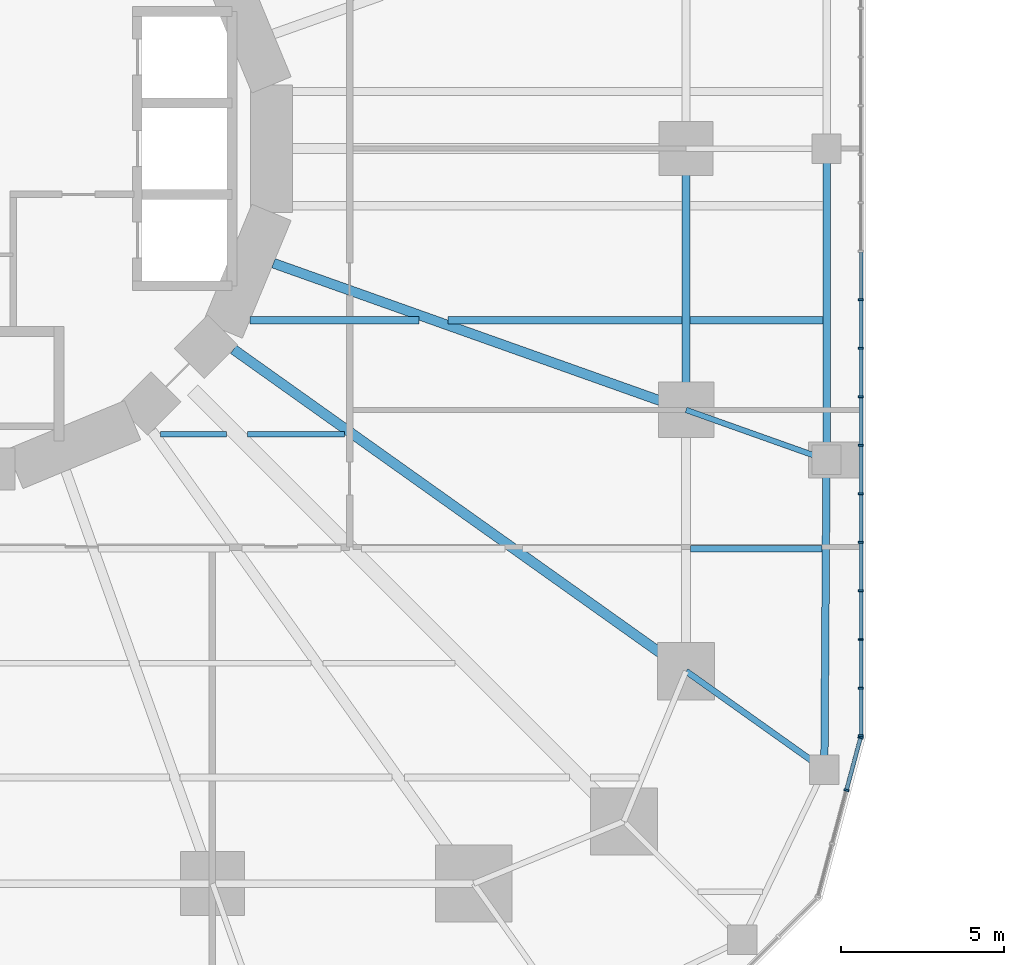
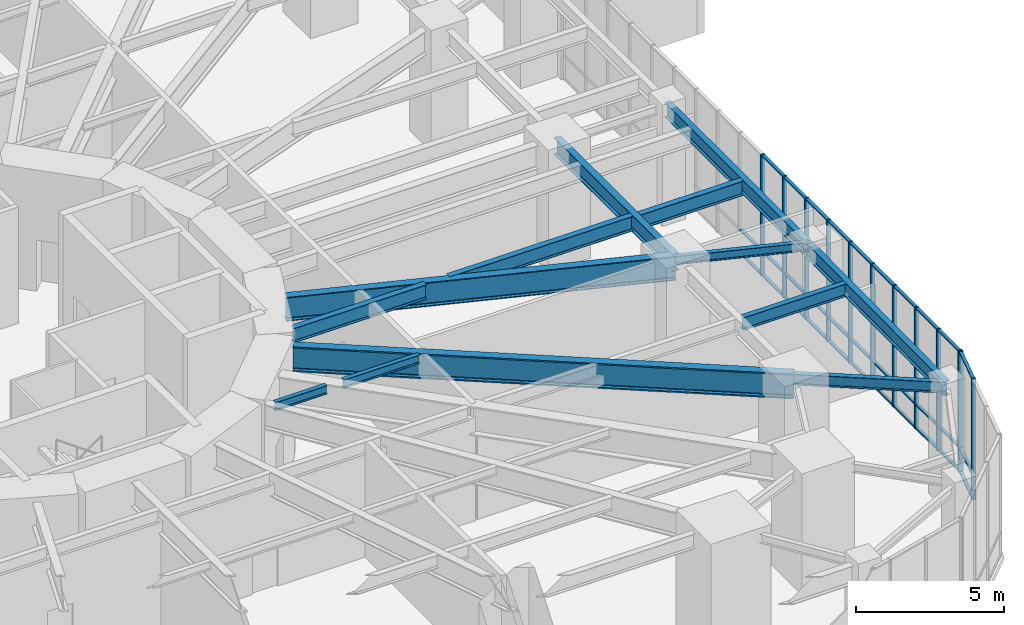
# One storey, part 8 of 24: 44 members, 13 beams, 2 elements without a shape of their own.
"""IFC4 building model written with IfcOpenShell, lengths in metres."""

from ifc_helpers import new_model, si_unit, direction, frame, origin, origin_2d, place, context, subcontext, project, spatial, rectangle, i_section, extrude, material, material_profile, profile_set, type_object, element, aggregate, save


model = new_model("IFC4")

# Units and contexts
model_context = context("Model", 3, precision=1e-05, world=origin(), true_north=direction((0.0, 1.0)))
body_context = subcontext(model_context, "Body", "Model", "MODEL_VIEW")
ifc_project = project(units=[si_unit("LENGTHUNIT", "METRE"), si_unit("AREAUNIT", "SQUARE_METRE"), si_unit("VOLUMEUNIT", "CUBIC_METRE"), si_unit("PLANEANGLEUNIT", "RADIAN"), si_unit("MASSUNIT", "GRAM", prefix="KILO")], contexts=[model_context])

# Site, building, storey
site_placement = place(None, origin())
site = spatial("IfcSite", under=ifc_project, at=site_placement, CompositionType="ELEMENT")
building_placement = place(site_placement, origin())
building = spatial("IfcBuilding", under=site, at=building_placement, Name="Nakasero Lantern House", CompositionType="ELEMENT")
storey_placement = place(building_placement, frame((0.0, 0.0, 11.0)))
storey = spatial("IfcBuildingStorey", under=building, at=storey_placement, Name="L02", CompositionType="ELEMENT", Elevation=11.0)

# Beams
ifc_material_1 = material(Name="Steel S355", Category="steel")
ifc_material_profile_1 = material_profile(ifc_material_1, i_section(OverallWidth=0.17138671875, OverallDepth=0.35498046875, WebThickness=0.00732421875, FlangeThickness=0.011474609375, FilletRadius=0.01025390625, at=origin_2d()), Name="UB 356x171x51")
ifc_profile_set_1 = profile_set([ifc_material_profile_1], Name="Steel S355")
beam_type_1 = type_object("IfcBeamType", Name="Infill beam UB 356x171x51", PredefinedType="JOIST", material=ifc_profile_set_1)
beam_1_placement = place(storey_placement, frame((6.411376953125, -8.75, 4.62255859375), z_axis=(1.0, 0.0, 0.0), x_axis=(0.0, 1.0, 0.0)))
element("IfcBeam", 1, at=beam_1_placement, inside=storey, type_object=beam_type_1, Name="Infill beam L03 06.3", PredefinedType="JOIST", context=body_context, shape_type="SweptSolid", body=[
    extrude(i_section(OverallWidth=0.17138671875, OverallDepth=0.35498046875, WebThickness=0.00732421875, FlangeThickness=0.011474609375, FilletRadius=0.01025390625, at=origin_2d()), origin(), (0.0, 0.0, 1.0), 2.0205078125),
])
beam_2_placement = place(storey_placement, frame((9.068115234375, -8.75, 4.62255859375), z_axis=(1.0, 0.0, 0.0), x_axis=(0.0, 1.0, 0.0)))
element("IfcBeam", 2, at=beam_2_placement, inside=storey, type_object=beam_type_1, Name="Infill beam L03 06.4", PredefinedType="JOIST", context=body_context, shape_type="SweptSolid", body=[
    extrude(i_section(OverallWidth=0.17138671875, OverallDepth=0.35498046875, WebThickness=0.00732421875, FlangeThickness=0.011474609375, FilletRadius=0.01025390625, at=origin_2d()), origin(), (0.0, 0.0, 1.0), 2.970458984375),
])
ifc_material_2 = material(Name="Steel S355", Category="steel")
ifc_material_profile_2 = material_profile(ifc_material_2, i_section(OverallWidth=0.208740234375, OverallDepth=0.5283203125, WebThickness=0.009521484375, FlangeThickness=0.01318359375, FilletRadius=0.0126953125, at=origin_2d()), Name="UB 533x210x82")
ifc_profile_set_2 = profile_set([ifc_material_profile_2], Name="Steel S355")
beam_type_2 = type_object("IfcBeamType", Name="Infill beam UB 533x210x82", PredefinedType="JOIST", material=ifc_profile_set_2)
beam_3_placement = place(storey_placement, frame((22.63330078125, -12.25, 4.48583984375), z_axis=(1.0, 0.0, 0.0), x_axis=(0.0, 1.0, 0.0)))
element("IfcBeam", 3, at=beam_3_placement, inside=storey, type_object=beam_type_2, Name="Infill beam L03 05.12", PredefinedType="JOIST", context=body_context, shape_type="SweptSolid", body=[
    extrude(i_section(OverallWidth=0.208740234375, OverallDepth=0.5283203125, WebThickness=0.009521484375, FlangeThickness=0.01318359375, FilletRadius=0.0126953125, at=origin_2d()), origin(), (0.0, 0.0, 1.0), 4.033203125),
])
ifc_material_3 = material(Name="Steel S355", Category="steel")
ifc_material_profile_3 = material_profile(ifc_material_3, i_section(OverallWidth=0.2275390625, OverallDepth=0.6025390625, WebThickness=0.010498046875, FlangeThickness=0.014892578125, FilletRadius=0.0126953125, at=origin_2d()), Name="UB 610x229x101")
ifc_profile_set_3 = profile_set([ifc_material_profile_3], Name="Steel S355")
beam_type_3 = type_object("IfcBeamType", Name="Infill beam UB 610x229x101", PredefinedType="JOIST", material=ifc_profile_set_3)
beam_4_placement = place(storey_placement, frame((9.144775390625, -5.25, 4.498779296875), z_axis=(1.0, 0.0, 0.0), x_axis=(0.0, 1.0, 0.0)))
element("IfcBeam", 4, at=beam_4_placement, inside=storey, type_object=beam_type_3, Name="Infill beam L03 07.4", PredefinedType="JOIST", context=body_context, shape_type="SweptSolid", body=[
    extrude(i_section(OverallWidth=0.2275390625, OverallDepth=0.6025390625, WebThickness=0.010498046875, FlangeThickness=0.014892578125, FilletRadius=0.0126953125, at=origin_2d()), origin(), (0.0, 0.0, 1.0), 5.173095703125),
])
beam_5_placement = place(storey_placement, frame((15.21337890625, -5.25, 4.498779296875), z_axis=(1.0, 0.0, 0.0), x_axis=(0.0, 1.0, 0.0)))
element("IfcBeam", 5, at=beam_5_placement, inside=storey, type_object=beam_type_3, Name="Infill beam L03 07.5", PredefinedType="JOIST", context=body_context, shape_type="SweptSolid", body=[
    extrude(i_section(OverallWidth=0.2275390625, OverallDepth=0.6025390625, WebThickness=0.010498046875, FlangeThickness=0.014892578125, FilletRadius=0.0126953125, at=origin_2d()), origin(), (0.0, 0.0, 1.0), 7.15869140625),
])
beam_6_placement = place(storey_placement, frame((22.6279296875, -5.25, 4.44873046875), z_axis=(1.0, 0.0, 0.0), x_axis=(0.0, 1.0, 0.0)))
element("IfcBeam", 6, at=beam_6_placement, inside=storey, type_object=beam_type_3, Name="Infill beam L03 07.6", PredefinedType="JOIST", context=body_context, shape_type="SweptSolid", body=[
    extrude(i_section(OverallWidth=0.2275390625, OverallDepth=0.6025390625, WebThickness=0.010498046875, FlangeThickness=0.014892578125, FilletRadius=0.0126953125, at=origin_2d()), origin(), (0.0, 0.0, 1.0), 4.0576171875),
])

# Curtain wall, members
ifc_material_4 = material(Name="Aluminium 6063-T6 and glass", Category="aluminium")
curtain_wall_type = type_object("IfcCurtainWallType", Name="Podium curtain wall CW-2", PredefinedType="USERDEFINED", material=ifc_material_4)
curtain_wall_1_placement = place(storey_placement, origin())
curtain_wall_1 = element("IfcCurtainWall", 7, at=curtain_wall_1_placement, inside=storey, type_object=curtain_wall_type, Name="Curtain wall CW-2 L02", ObjectType="STICK CURTAIN WALL", PredefinedType="USERDEFINED")
ifc_material_5 = material(Name="Aluminium 6063-T6", Category="aluminium")
ifc_material_profile_4 = material_profile(ifc_material_5, rectangle(XDim=0.06005859375, YDim=0.159912109375, at=origin_2d()), Name="CW-2 mullion 60x160")
ifc_profile_set_4 = profile_set([ifc_material_profile_4], Name="Aluminium 6063-T6")
member_type_1 = type_object("IfcMemberType", Name="Mullion CW-2", PredefinedType="MULLION", material=ifc_profile_set_4)
member_1_placement = place(storey_placement, frame((27.85009765625, -17.969970703125, 0.0), z_axis=(0.0, 0.0, 1.0), x_axis=(0.0, 1.0, 0.0)))
member_1 = element("IfcMember", 8, at=member_1_placement, type_object=member_type_1, Name="CW-2 mullion 1", PredefinedType="MULLION", context=body_context, shape_type="SweptSolid", body=[
    extrude(rectangle(XDim=0.06005859375, YDim=0.159912109375, at=origin_2d()), origin(), (0.0, 0.0, 1.0), 5.0),
])
member_2_placement = place(storey_placement, frame((27.85009765625, -16.513916015625, 0.0), z_axis=(0.0, 0.0, 1.0), x_axis=(0.0, 1.0, 0.0)))
member_2 = element("IfcMember", 9, at=member_2_placement, type_object=member_type_1, Name="CW-2 mullion 2", PredefinedType="MULLION", context=body_context, shape_type="SweptSolid", body=[
    extrude(rectangle(XDim=0.06005859375, YDim=0.159912109375, at=origin_2d()), origin(), (0.0, 0.0, 1.0), 5.0),
])
member_3_placement = place(storey_placement, frame((27.85009765625, -15.02783203125, 0.0), z_axis=(0.0, 0.0, 1.0), x_axis=(0.0, 1.0, 0.0)))
member_3 = element("IfcMember", 10, at=member_3_placement, type_object=member_type_1, Name="CW-2 mullion 3", PredefinedType="MULLION", context=body_context, shape_type="SweptSolid", body=[
    extrude(rectangle(XDim=0.06005859375, YDim=0.159912109375, at=origin_2d()), origin(), (0.0, 0.0, 1.0), 5.0),
])
member_4_placement = place(storey_placement, frame((27.85009765625, -13.541748046875, 0.0), z_axis=(0.0, 0.0, 1.0), x_axis=(0.0, 1.0, 0.0)))
member_4 = element("IfcMember", 11, at=member_4_placement, type_object=member_type_1, Name="CW-2 mullion 4", PredefinedType="MULLION", context=body_context, shape_type="SweptSolid", body=[
    extrude(rectangle(XDim=0.06005859375, YDim=0.159912109375, at=origin_2d()), origin(), (0.0, 0.0, 1.0), 5.0),
])
member_5_placement = place(storey_placement, frame((27.85009765625, -12.0556640625, 0.0), z_axis=(0.0, 0.0, 1.0), x_axis=(0.0, 1.0, 0.0)))
member_5 = element("IfcMember", 12, at=member_5_placement, type_object=member_type_1, Name="CW-2 mullion 5", PredefinedType="MULLION", context=body_context, shape_type="SweptSolid", body=[
    extrude(rectangle(XDim=0.06005859375, YDim=0.159912109375, at=origin_2d()), origin(), (0.0, 0.0, 1.0), 5.0),
])
member_6_placement = place(storey_placement, frame((27.85009765625, -10.5693359375, 0.0), z_axis=(0.0, 0.0, 1.0), x_axis=(0.0, 1.0, 0.0)))
member_6 = element("IfcMember", 13, at=member_6_placement, type_object=member_type_1, Name="CW-2 mullion 6", PredefinedType="MULLION", context=body_context, shape_type="SweptSolid", body=[
    extrude(rectangle(XDim=0.06005859375, YDim=0.159912109375, at=origin_2d()), origin(), (0.0, 0.0, 1.0), 5.0),
])
member_7_placement = place(storey_placement, frame((27.85009765625, -9.083251953125, 0.0), z_axis=(0.0, 0.0, 1.0), x_axis=(0.0, 1.0, 0.0)))
member_7 = element("IfcMember", 14, at=member_7_placement, type_object=member_type_1, Name="CW-2 mullion 7", PredefinedType="MULLION", context=body_context, shape_type="SweptSolid", body=[
    extrude(rectangle(XDim=0.06005859375, YDim=0.159912109375, at=origin_2d()), origin(), (0.0, 0.0, 1.0), 5.0),
])
member_8_placement = place(storey_placement, frame((27.85009765625, -7.59716796875, 0.0), z_axis=(0.0, 0.0, 1.0), x_axis=(0.0, 1.0, 0.0)))
member_8 = element("IfcMember", 15, at=member_8_placement, type_object=member_type_1, Name="CW-2 mullion 8", PredefinedType="MULLION", context=body_context, shape_type="SweptSolid", body=[
    extrude(rectangle(XDim=0.06005859375, YDim=0.159912109375, at=origin_2d()), origin(), (0.0, 0.0, 1.0), 5.0),
])
member_9_placement = place(storey_placement, frame((27.85009765625, -6.111083984375, 0.0), z_axis=(0.0, 0.0, 1.0), x_axis=(0.0, 1.0, 0.0)))
member_9 = element("IfcMember", 16, at=member_9_placement, type_object=member_type_1, Name="CW-2 mullion 9", PredefinedType="MULLION", context=body_context, shape_type="SweptSolid", body=[
    extrude(rectangle(XDim=0.06005859375, YDim=0.159912109375, at=origin_2d()), origin(), (0.0, 0.0, 1.0), 5.0),
])
member_10_placement = place(storey_placement, frame((27.85009765625, -4.625, 0.0), z_axis=(0.0, 0.0, 1.0), x_axis=(0.0, 1.0, 0.0)))
member_10 = element("IfcMember", 17, at=member_10_placement, type_object=member_type_1, Name="CW-2 mullion 10", PredefinedType="MULLION", context=body_context, shape_type="SweptSolid", body=[
    extrude(rectangle(XDim=0.06005859375, YDim=0.159912109375, at=origin_2d()), origin(), (0.0, 0.0, 1.0), 5.0),
])

curtain_wall_2_placement = place(storey_placement, origin())
curtain_wall_2 = element("IfcCurtainWall", 18, at=curtain_wall_2_placement, inside=storey, type_object=curtain_wall_type, Name="Curtain wall CW-2 L02", ObjectType="STICK CURTAIN WALL", PredefinedType="USERDEFINED")
member_11_placement = place(storey_placement, frame((27.41015625, -19.6416015625, 0.0), z_axis=(0.0, 0.0, 1.0), x_axis=(0.258819045103, 0.965925826289, 0.0)))
member_11 = element("IfcMember", 19, at=member_11_placement, type_object=member_type_1, Name="CW-2 mullion 3", PredefinedType="MULLION", context=body_context, shape_type="SweptSolid", body=[
    extrude(rectangle(XDim=0.06005859375, YDim=0.159912109375, at=origin_2d()), origin(), (0.0, 0.0, 1.0), 5.0),
])
member_12_placement = place(storey_placement, frame((27.84228515625, -18.029052734375, 0.0), z_axis=(0.0, 0.0, 1.0), x_axis=(0.258819045103, 0.965925826289, 0.0)))
member_12 = element("IfcMember", 20, at=member_12_placement, type_object=member_type_1, Name="CW-2 mullion 4", PredefinedType="MULLION", context=body_context, shape_type="SweptSolid", body=[
    extrude(rectangle(XDim=0.06005859375, YDim=0.159912109375, at=origin_2d()), origin(), (0.0, 0.0, 1.0), 5.0),
])

# Beams
ifc_material_6 = material(Name="Steel S355", Category="steel")
ifc_material_profile_5 = material_profile(ifc_material_6, i_section(OverallWidth=0.300048828125, OverallDepth=0.989990234375, WebThickness=0.0166015625, FlangeThickness=0.031005859375, FilletRadius=0.030029296875, at=origin_2d()), Name="UB 1016x305x272")
ifc_profile_set_5 = profile_set([ifc_material_profile_5], Name="Steel S355")
beam_type_4 = type_object("IfcBeamType", Name="Primary beam UB 1016x305x272, span 12 to 15 m", PredefinedType="BEAM", material=ifc_profile_set_5)
beam_7_placement = place(storey_placement, frame((22.5, -8.0, 4.304931640625), z_axis=(-0.942214307118, 0.335010745293, 0.0), x_axis=(-0.335010745293, -0.942214307118, 0.0)))
element("IfcBeam", 21, at=beam_7_placement, inside=storey, type_object=beam_type_4, Name="Primary beam L03 B1-C02", PredefinedType="BEAM", context=body_context, shape_type="SweptSolid", body=[
    extrude(i_section(OverallWidth=0.300048828125, OverallDepth=0.989990234375, WebThickness=0.0166015625, FlangeThickness=0.031005859375, FilletRadius=0.030029296875, at=origin_2d()), origin(), (0.0, 0.0, 1.0), 13.408447265625),
])
ifc_material_7 = material(Name="Steel S355", Category="steel")
ifc_material_profile_6 = material_profile(ifc_material_7, i_section(OverallWidth=0.30859375, OverallDepth=1.036376953125, WebThickness=0.030029296875, FlangeThickness=0.05419921875, FilletRadius=0.030029296875, at=origin_2d()), Name="UB 1016x305x487")
ifc_profile_set_6 = profile_set([ifc_material_profile_6], Name="Steel S355")
beam_type_5 = type_object("IfcBeamType", Name="Primary beam UB 1016x305x487, span over 15 m", PredefinedType="BEAM", material=ifc_profile_set_6)
beam_8_placement = place(storey_placement, frame((22.5, -16.0, 4.28173828125), z_axis=(-0.814952159915, 0.579528236629, 0.0), x_axis=(-0.579528236629, -0.814952159915, 0.0)))
element("IfcBeam", 22, at=beam_8_placement, inside=storey, type_object=beam_type_5, Name="Primary beam L03 B1-C01", PredefinedType="BEAM", context=body_context, shape_type="SweptSolid", body=[
    extrude(i_section(OverallWidth=0.30859375, OverallDepth=1.036376953125, WebThickness=0.030029296875, FlangeThickness=0.05419921875, FilletRadius=0.030029296875, at=origin_2d()), origin(), (0.0, 0.0, 1.0), 17.003173828125),
])
ifc_material_8 = material(Name="Steel S355", Category="steel")
ifc_material_profile_7 = material_profile(ifc_material_8, i_section(OverallWidth=0.17138671875, OverallDepth=0.35498046875, WebThickness=0.00732421875, FlangeThickness=0.011474609375, FilletRadius=0.01025390625, at=origin_2d()), Name="UB 356x171x51")
ifc_profile_set_7 = profile_set([ifc_material_profile_7], Name="Steel S355")
beam_type_6 = type_object("IfcBeamType", Name="Primary beam UB 356x171x51, span to 6 m", PredefinedType="BEAM", material=ifc_profile_set_7)
beam_9_placement = place(storey_placement, frame((26.800048828125, -9.52880859375, 4.572509765625), z_axis=(-0.942221444489, 0.334990670833, 0.0), x_axis=(-0.334990670833, -0.942221444489, 0.0)))
element("IfcBeam", 23, at=beam_9_placement, inside=storey, type_object=beam_type_6, Name="Primary beam L03 POD-C02", PredefinedType="BEAM", context=body_context, shape_type="SweptSolid", body=[
    extrude(i_section(OverallWidth=0.17138671875, OverallDepth=0.35498046875, WebThickness=0.00732421875, FlangeThickness=0.011474609375, FilletRadius=0.01025390625, at=origin_2d()), origin(), (0.0, 0.0, 1.0), 4.563720703125),
])
ifc_material_9 = material(Name="Steel S355", Category="steel")
ifc_material_profile_8 = material_profile(ifc_material_9, i_section(OverallWidth=0.18994140625, OverallDepth=0.453369140625, WebThickness=0.008544921875, FlangeThickness=0.0126953125, FilletRadius=0.01025390625, at=origin_2d()), Name="UB 457x191x67")
ifc_profile_set_8 = profile_set([ifc_material_profile_8], Name="Steel S355")
beam_type_7 = type_object("IfcBeamType", Name="Primary beam UB 457x191x67, span to 6 m", PredefinedType="BEAM", material=ifc_profile_set_8)
beam_10_placement = place(storey_placement, frame((26.733642578125, -19.0107421875, 4.523193359375), z_axis=(-0.814941514044, 0.57954320692, 0.0), x_axis=(-0.57954320692, -0.814941514044, 0.0)))
element("IfcBeam", 24, at=beam_10_placement, inside=storey, type_object=beam_type_7, Name="Primary beam L03 POD-C01", PredefinedType="BEAM", context=body_context, shape_type="SweptSolid", body=[
    extrude(i_section(OverallWidth=0.18994140625, OverallDepth=0.453369140625, WebThickness=0.008544921875, FlangeThickness=0.0126953125, FilletRadius=0.01025390625, at=origin_2d()), origin(), (0.0, 0.0, 1.0), 5.195068359375),
])
ifc_material_10 = material(Name="Steel S355", Category="steel")
ifc_material_profile_9 = material_profile(ifc_material_10, i_section(OverallWidth=0.22900390625, OverallDepth=0.6123046875, WebThickness=0.011962890625, FlangeThickness=0.01953125, FilletRadius=0.0126953125, at=origin_2d()), Name="UB 610x229x125")
ifc_profile_set_9 = profile_set([ifc_material_profile_9], Name="Steel S355")
beam_type_8 = type_object("IfcBeamType", Name="Ring beam UB 610x229x125", PredefinedType="BEAM", material=ifc_profile_set_9)
beam_11_placement = place(storey_placement, frame((26.733642578125, -19.0107421875, 4.44384765625), z_axis=(0.007003278482, 0.999975476745, 0.0), x_axis=(-0.999975476745, 0.007003278482, 0.0)))
element("IfcBeam", 25, at=beam_11_placement, inside=storey, type_object=beam_type_8, Name="Ring beam L03 POD-C01", PredefinedType="BEAM", context=body_context, shape_type="SweptSolid", body=[
    extrude(i_section(OverallWidth=0.22900390625, OverallDepth=0.6123046875, WebThickness=0.011962890625, FlangeThickness=0.01953125, FilletRadius=0.0126953125, at=origin_2d()), origin(), (0.0, 0.0, 1.0), 9.482177734375),
])
beam_12_placement = place(storey_placement, frame((26.800048828125, -9.52880859375, 4.44384765625), z_axis=(0.0, 1.0, 0.0), x_axis=(-1.0, 0.0, 0.0)))
element("IfcBeam", 26, at=beam_12_placement, inside=storey, type_object=beam_type_8, Name="Ring beam L03 POD-C02", PredefinedType="BEAM", context=body_context, shape_type="SweptSolid", body=[
    extrude(i_section(OverallWidth=0.22900390625, OverallDepth=0.6123046875, WebThickness=0.011962890625, FlangeThickness=0.01953125, FilletRadius=0.0126953125, at=origin_2d()), origin(), (0.0, 0.0, 1.0), 9.52880859375),
])
ifc_material_11 = material(Name="Steel S355", Category="steel")
ifc_material_profile_10 = material_profile(ifc_material_11, i_section(OverallWidth=0.255859375, OverallDepth=0.69287109375, WebThickness=0.014404296875, FlangeThickness=0.023681640625, FilletRadius=0.01513671875, at=origin_2d()), Name="UB 686x254x170")
ifc_profile_set_10 = profile_set([ifc_material_profile_10], Name="Steel S355")
beam_type_9 = type_object("IfcBeamType", Name="Ring beam UB 686x254x170", PredefinedType="BEAM", material=ifc_profile_set_10)
beam_13_placement = place(storey_placement, frame((22.5, -8.0, 4.45361328125), z_axis=(0.0, 1.0, 0.0), x_axis=(-1.0, 0.0, 0.0)))
element("IfcBeam", 27, at=beam_13_placement, inside=storey, type_object=beam_type_9, Name="Ring beam L03 B1-C02", PredefinedType="BEAM", context=body_context, shape_type="SweptSolid", body=[
    extrude(i_section(OverallWidth=0.255859375, OverallDepth=0.69287109375, WebThickness=0.014404296875, FlangeThickness=0.023681640625, FilletRadius=0.01513671875, at=origin_2d()), origin(), (0.0, 0.0, 1.0), 8.0),
])

# Member
ifc_material_12 = material(Name="Aluminium 6063-T6", Category="aluminium")
ifc_material_profile_11 = material_profile(ifc_material_12, rectangle(XDim=0.06005859375, YDim=0.1201171875, at=origin_2d()), Name="CW-2 transom 60x120")
ifc_profile_set_11 = profile_set([ifc_material_profile_11], Name="Aluminium 6063-T6")
member_type_2 = type_object("IfcMemberType", Name="Transom CW-2", PredefinedType="USERDEFINED", material=ifc_profile_set_11)
member_13_placement = place(storey_placement, frame((27.85009765625, -17.93994140625, 0.030029296875), z_axis=(0.0, 1.0, 0.0), x_axis=(0.0, 0.0, 1.0)))
member_13 = element("IfcMember", 28, at=member_13_placement, type_object=member_type_2, Name="CW-2 transom 1.1", ObjectType="TRANSOM", PredefinedType="USERDEFINED", context=body_context, shape_type="SweptSolid", body=[
    extrude(rectangle(XDim=0.06005859375, YDim=0.1201171875, at=origin_2d()), origin(), (0.0, 0.0, 1.0), 1.39599609375),
])

member_14_placement = place(storey_placement, frame((27.85009765625, -17.93994140625, 1.0), z_axis=(0.0, 1.0, 0.0), x_axis=(0.0, 0.0, 1.0)))
member_14 = element("IfcMember", 29, at=member_14_placement, type_object=member_type_2, Name="CW-2 transom 1.2", ObjectType="TRANSOM", PredefinedType="USERDEFINED", context=body_context, shape_type="SweptSolid", body=[
    extrude(rectangle(XDim=0.06005859375, YDim=0.1201171875, at=origin_2d()), origin(), (0.0, 0.0, 1.0), 1.39599609375),
])

member_15_placement = place(storey_placement, frame((27.85009765625, -17.93994140625, 4.969970703125), z_axis=(0.0, 1.0, 0.0), x_axis=(0.0, 0.0, 1.0)))
member_15 = element("IfcMember", 30, at=member_15_placement, type_object=member_type_2, Name="CW-2 transom 1.3", ObjectType="TRANSOM", PredefinedType="USERDEFINED", context=body_context, shape_type="SweptSolid", body=[
    extrude(rectangle(XDim=0.06005859375, YDim=0.1201171875, at=origin_2d()), origin(), (0.0, 0.0, 1.0), 1.39599609375),
])

member_16_placement = place(storey_placement, frame((27.85009765625, -16.48388671875, 0.030029296875), z_axis=(0.0, 1.0, 0.0), x_axis=(0.0, 0.0, 1.0)))
member_16 = element("IfcMember", 31, at=member_16_placement, type_object=member_type_2, Name="CW-2 transom 2.1", ObjectType="TRANSOM", PredefinedType="USERDEFINED", context=body_context, shape_type="SweptSolid", body=[
    extrude(rectangle(XDim=0.06005859375, YDim=0.1201171875, at=origin_2d()), origin(), (0.0, 0.0, 1.0), 1.426025390625),
])

member_17_placement = place(storey_placement, frame((27.85009765625, -16.48388671875, 1.0), z_axis=(0.0, 1.0, 0.0), x_axis=(0.0, 0.0, 1.0)))
member_17 = element("IfcMember", 32, at=member_17_placement, type_object=member_type_2, Name="CW-2 transom 2.2", ObjectType="TRANSOM", PredefinedType="USERDEFINED", context=body_context, shape_type="SweptSolid", body=[
    extrude(rectangle(XDim=0.06005859375, YDim=0.1201171875, at=origin_2d()), origin(), (0.0, 0.0, 1.0), 1.426025390625),
])

member_18_placement = place(storey_placement, frame((27.85009765625, -16.48388671875, 4.969970703125), z_axis=(0.0, 1.0, 0.0), x_axis=(0.0, 0.0, 1.0)))
member_18 = element("IfcMember", 33, at=member_18_placement, type_object=member_type_2, Name="CW-2 transom 2.3", ObjectType="TRANSOM", PredefinedType="USERDEFINED", context=body_context, shape_type="SweptSolid", body=[
    extrude(rectangle(XDim=0.06005859375, YDim=0.1201171875, at=origin_2d()), origin(), (0.0, 0.0, 1.0), 1.426025390625),
])

member_19_placement = place(storey_placement, frame((27.85009765625, -14.997802734375, 0.030029296875), z_axis=(0.0, 1.0, 0.0), x_axis=(0.0, 0.0, 1.0)))
member_19 = element("IfcMember", 34, at=member_19_placement, type_object=member_type_2, Name="CW-2 transom 3.1", ObjectType="TRANSOM", PredefinedType="USERDEFINED", context=body_context, shape_type="SweptSolid", body=[
    extrude(rectangle(XDim=0.06005859375, YDim=0.1201171875, at=origin_2d()), origin(), (0.0, 0.0, 1.0), 1.426025390625),
])

member_20_placement = place(storey_placement, frame((27.85009765625, -14.997802734375, 1.0), z_axis=(0.0, 1.0, 0.0), x_axis=(0.0, 0.0, 1.0)))
member_20 = element("IfcMember", 35, at=member_20_placement, type_object=member_type_2, Name="CW-2 transom 3.2", ObjectType="TRANSOM", PredefinedType="USERDEFINED", context=body_context, shape_type="SweptSolid", body=[
    extrude(rectangle(XDim=0.06005859375, YDim=0.1201171875, at=origin_2d()), origin(), (0.0, 0.0, 1.0), 1.426025390625),
])

member_21_placement = place(storey_placement, frame((27.85009765625, -14.997802734375, 4.969970703125), z_axis=(0.0, 1.0, 0.0), x_axis=(0.0, 0.0, 1.0)))
member_21 = element("IfcMember", 36, at=member_21_placement, type_object=member_type_2, Name="CW-2 transom 3.3", ObjectType="TRANSOM", PredefinedType="USERDEFINED", context=body_context, shape_type="SweptSolid", body=[
    extrude(rectangle(XDim=0.06005859375, YDim=0.1201171875, at=origin_2d()), origin(), (0.0, 0.0, 1.0), 1.426025390625),
])

member_22_placement = place(storey_placement, frame((27.85009765625, -13.51171875, 0.030029296875), z_axis=(0.0, 1.0, 0.0), x_axis=(0.0, 0.0, 1.0)))
member_22 = element("IfcMember", 37, at=member_22_placement, type_object=member_type_2, Name="CW-2 transom 4.1", ObjectType="TRANSOM", PredefinedType="USERDEFINED", context=body_context, shape_type="SweptSolid", body=[
    extrude(rectangle(XDim=0.06005859375, YDim=0.1201171875, at=origin_2d()), origin(), (0.0, 0.0, 1.0), 1.42626953125),
])

member_23_placement = place(storey_placement, frame((27.85009765625, -13.51171875, 1.0), z_axis=(0.0, 1.0, 0.0), x_axis=(0.0, 0.0, 1.0)))
member_23 = element("IfcMember", 38, at=member_23_placement, type_object=member_type_2, Name="CW-2 transom 4.2", ObjectType="TRANSOM", PredefinedType="USERDEFINED", context=body_context, shape_type="SweptSolid", body=[
    extrude(rectangle(XDim=0.06005859375, YDim=0.1201171875, at=origin_2d()), origin(), (0.0, 0.0, 1.0), 1.42626953125),
])

member_24_placement = place(storey_placement, frame((27.85009765625, -13.51171875, 4.969970703125), z_axis=(0.0, 1.0, 0.0), x_axis=(0.0, 0.0, 1.0)))
member_24 = element("IfcMember", 39, at=member_24_placement, type_object=member_type_2, Name="CW-2 transom 4.3", ObjectType="TRANSOM", PredefinedType="USERDEFINED", context=body_context, shape_type="SweptSolid", body=[
    extrude(rectangle(XDim=0.06005859375, YDim=0.1201171875, at=origin_2d()), origin(), (0.0, 0.0, 1.0), 1.42626953125),
])

member_25_placement = place(storey_placement, frame((27.85009765625, -12.025634765625, 0.030029296875), z_axis=(0.0, 1.0, 0.0), x_axis=(0.0, 0.0, 1.0)))
member_25 = element("IfcMember", 40, at=member_25_placement, type_object=member_type_2, Name="CW-2 transom 5.1", ObjectType="TRANSOM", PredefinedType="USERDEFINED", context=body_context, shape_type="SweptSolid", body=[
    extrude(rectangle(XDim=0.06005859375, YDim=0.1201171875, at=origin_2d()), origin(), (0.0, 0.0, 1.0), 1.42626953125),
])

member_26_placement = place(storey_placement, frame((27.85009765625, -12.025634765625, 1.0), z_axis=(0.0, 1.0, 0.0), x_axis=(0.0, 0.0, 1.0)))
member_26 = element("IfcMember", 41, at=member_26_placement, type_object=member_type_2, Name="CW-2 transom 5.2", ObjectType="TRANSOM", PredefinedType="USERDEFINED", context=body_context, shape_type="SweptSolid", body=[
    extrude(rectangle(XDim=0.06005859375, YDim=0.1201171875, at=origin_2d()), origin(), (0.0, 0.0, 1.0), 1.42626953125),
])

member_27_placement = place(storey_placement, frame((27.85009765625, -12.025634765625, 4.969970703125), z_axis=(0.0, 1.0, 0.0), x_axis=(0.0, 0.0, 1.0)))
member_27 = element("IfcMember", 42, at=member_27_placement, type_object=member_type_2, Name="CW-2 transom 5.3", ObjectType="TRANSOM", PredefinedType="USERDEFINED", context=body_context, shape_type="SweptSolid", body=[
    extrude(rectangle(XDim=0.06005859375, YDim=0.1201171875, at=origin_2d()), origin(), (0.0, 0.0, 1.0), 1.42626953125),
])

member_28_placement = place(storey_placement, frame((27.85009765625, -10.53955078125, 0.030029296875), z_axis=(0.0, 1.0, 0.0), x_axis=(0.0, 0.0, 1.0)))
member_28 = element("IfcMember", 43, at=member_28_placement, type_object=member_type_2, Name="CW-2 transom 6.1", ObjectType="TRANSOM", PredefinedType="USERDEFINED", context=body_context, shape_type="SweptSolid", body=[
    extrude(rectangle(XDim=0.06005859375, YDim=0.1201171875, at=origin_2d()), origin(), (0.0, 0.0, 1.0), 1.42626953125),
])

member_29_placement = place(storey_placement, frame((27.85009765625, -10.53955078125, 1.0), z_axis=(0.0, 1.0, 0.0), x_axis=(0.0, 0.0, 1.0)))
member_29 = element("IfcMember", 44, at=member_29_placement, type_object=member_type_2, Name="CW-2 transom 6.2", ObjectType="TRANSOM", PredefinedType="USERDEFINED", context=body_context, shape_type="SweptSolid", body=[
    extrude(rectangle(XDim=0.06005859375, YDim=0.1201171875, at=origin_2d()), origin(), (0.0, 0.0, 1.0), 1.42626953125),
])

member_30_placement = place(storey_placement, frame((27.85009765625, -10.53955078125, 4.969970703125), z_axis=(0.0, 1.0, 0.0), x_axis=(0.0, 0.0, 1.0)))
member_30 = element("IfcMember", 45, at=member_30_placement, type_object=member_type_2, Name="CW-2 transom 6.3", ObjectType="TRANSOM", PredefinedType="USERDEFINED", context=body_context, shape_type="SweptSolid", body=[
    extrude(rectangle(XDim=0.06005859375, YDim=0.1201171875, at=origin_2d()), origin(), (0.0, 0.0, 1.0), 1.42626953125),
])

member_31_placement = place(storey_placement, frame((27.85009765625, -9.05322265625, 0.030029296875), z_axis=(0.0, 1.0, 0.0), x_axis=(0.0, 0.0, 1.0)))
member_31 = element("IfcMember", 46, at=member_31_placement, type_object=member_type_2, Name="CW-2 transom 7.1", ObjectType="TRANSOM", PredefinedType="USERDEFINED", context=body_context, shape_type="SweptSolid", body=[
    extrude(rectangle(XDim=0.06005859375, YDim=0.1201171875, at=origin_2d()), origin(), (0.0, 0.0, 1.0), 1.426025390625),
])

member_32_placement = place(storey_placement, frame((27.85009765625, -9.05322265625, 1.0), z_axis=(0.0, 1.0, 0.0), x_axis=(0.0, 0.0, 1.0)))
member_32 = element("IfcMember", 47, at=member_32_placement, type_object=member_type_2, Name="CW-2 transom 7.2", ObjectType="TRANSOM", PredefinedType="USERDEFINED", context=body_context, shape_type="SweptSolid", body=[
    extrude(rectangle(XDim=0.06005859375, YDim=0.1201171875, at=origin_2d()), origin(), (0.0, 0.0, 1.0), 1.426025390625),
])

member_33_placement = place(storey_placement, frame((27.85009765625, -9.05322265625, 4.969970703125), z_axis=(0.0, 1.0, 0.0), x_axis=(0.0, 0.0, 1.0)))
member_33 = element("IfcMember", 48, at=member_33_placement, type_object=member_type_2, Name="CW-2 transom 7.3", ObjectType="TRANSOM", PredefinedType="USERDEFINED", context=body_context, shape_type="SweptSolid", body=[
    extrude(rectangle(XDim=0.06005859375, YDim=0.1201171875, at=origin_2d()), origin(), (0.0, 0.0, 1.0), 1.426025390625),
])

member_34_placement = place(storey_placement, frame((27.85009765625, -7.567138671875, 0.030029296875), z_axis=(0.0, 1.0, 0.0), x_axis=(0.0, 0.0, 1.0)))
member_34 = element("IfcMember", 49, at=member_34_placement, type_object=member_type_2, Name="CW-2 transom 8.1", ObjectType="TRANSOM", PredefinedType="USERDEFINED", context=body_context, shape_type="SweptSolid", body=[
    extrude(rectangle(XDim=0.06005859375, YDim=0.1201171875, at=origin_2d()), origin(), (0.0, 0.0, 1.0), 1.426025390625),
])

member_35_placement = place(storey_placement, frame((27.85009765625, -7.567138671875, 1.0), z_axis=(0.0, 1.0, 0.0), x_axis=(0.0, 0.0, 1.0)))
member_35 = element("IfcMember", 50, at=member_35_placement, type_object=member_type_2, Name="CW-2 transom 8.2", ObjectType="TRANSOM", PredefinedType="USERDEFINED", context=body_context, shape_type="SweptSolid", body=[
    extrude(rectangle(XDim=0.06005859375, YDim=0.1201171875, at=origin_2d()), origin(), (0.0, 0.0, 1.0), 1.426025390625),
])

member_36_placement = place(storey_placement, frame((27.85009765625, -7.567138671875, 4.969970703125), z_axis=(0.0, 1.0, 0.0), x_axis=(0.0, 0.0, 1.0)))
member_36 = element("IfcMember", 51, at=member_36_placement, type_object=member_type_2, Name="CW-2 transom 8.3", ObjectType="TRANSOM", PredefinedType="USERDEFINED", context=body_context, shape_type="SweptSolid", body=[
    extrude(rectangle(XDim=0.06005859375, YDim=0.1201171875, at=origin_2d()), origin(), (0.0, 0.0, 1.0), 1.426025390625),
])

member_37_placement = place(storey_placement, frame((27.85009765625, -6.0810546875, 0.030029296875), z_axis=(0.0, 1.0, 0.0), x_axis=(0.0, 0.0, 1.0)))
member_37 = element("IfcMember", 52, at=member_37_placement, type_object=member_type_2, Name="CW-2 transom 9.1", ObjectType="TRANSOM", PredefinedType="USERDEFINED", context=body_context, shape_type="SweptSolid", body=[
    extrude(rectangle(XDim=0.06005859375, YDim=0.1201171875, at=origin_2d()), origin(), (0.0, 0.0, 1.0), 1.426025390625),
])

member_38_placement = place(storey_placement, frame((27.85009765625, -6.0810546875, 1.0), z_axis=(0.0, 1.0, 0.0), x_axis=(0.0, 0.0, 1.0)))
member_38 = element("IfcMember", 53, at=member_38_placement, type_object=member_type_2, Name="CW-2 transom 9.2", ObjectType="TRANSOM", PredefinedType="USERDEFINED", context=body_context, shape_type="SweptSolid", body=[
    extrude(rectangle(XDim=0.06005859375, YDim=0.1201171875, at=origin_2d()), origin(), (0.0, 0.0, 1.0), 1.426025390625),
])

member_39_placement = place(storey_placement, frame((27.85009765625, -6.0810546875, 4.969970703125), z_axis=(0.0, 1.0, 0.0), x_axis=(0.0, 0.0, 1.0)))
member_39 = element("IfcMember", 54, at=member_39_placement, type_object=member_type_2, Name="CW-2 transom 9.3", ObjectType="TRANSOM", PredefinedType="USERDEFINED", context=body_context, shape_type="SweptSolid", body=[
    extrude(rectangle(XDim=0.06005859375, YDim=0.1201171875, at=origin_2d()), origin(), (0.0, 0.0, 1.0), 1.426025390625),
])

member_40_placement = place(storey_placement, frame((27.85009765625, -4.594970703125, 0.030029296875), z_axis=(0.0, 1.0, 0.0), x_axis=(0.0, 0.0, 1.0)))
member_40 = element("IfcMember", 55, at=member_40_placement, type_object=member_type_2, Name="CW-2 transom 10.1", ObjectType="TRANSOM", PredefinedType="USERDEFINED", context=body_context, shape_type="SweptSolid", body=[
    extrude(rectangle(XDim=0.06005859375, YDim=0.1201171875, at=origin_2d()), origin(), (0.0, 0.0, 1.0), 1.426025390625),
])

member_41_placement = place(storey_placement, frame((27.85009765625, -4.594970703125, 1.0), z_axis=(0.0, 1.0, 0.0), x_axis=(0.0, 0.0, 1.0)))
member_41 = element("IfcMember", 56, at=member_41_placement, type_object=member_type_2, Name="CW-2 transom 10.2", ObjectType="TRANSOM", PredefinedType="USERDEFINED", context=body_context, shape_type="SweptSolid", body=[
    extrude(rectangle(XDim=0.06005859375, YDim=0.1201171875, at=origin_2d()), origin(), (0.0, 0.0, 1.0), 1.426025390625),
])

aggregate(curtain_wall_1, [member_1, member_2, member_3, member_4, member_5, member_6, member_7, member_8, member_9, member_10, member_13, member_14, member_15, member_16, member_17, member_18, member_19, member_20, member_21, member_22, member_23, member_24, member_25, member_26, member_27, member_28, member_29, member_30, member_31, member_32, member_33, member_34, member_35, member_36, member_37, member_38, member_39, member_40, member_41])

member_42_placement = place(storey_placement, frame((27.41796875, -19.61279296875, 0.030029296875), z_axis=(0.258738612203, 0.96594737463, 0.0), x_axis=(0.0, 0.0, 1.0)))
member_42 = element("IfcMember", 57, at=member_42_placement, type_object=member_type_2, Name="CW-2 transom 3.1", ObjectType="TRANSOM", PredefinedType="USERDEFINED", context=body_context, shape_type="SweptSolid", body=[
    extrude(rectangle(XDim=0.06005859375, YDim=0.1201171875, at=origin_2d()), origin(), (0.0, 0.0, 1.0), 1.60986328125),
])

member_43_placement = place(storey_placement, frame((27.41796875, -19.61279296875, 1.0), z_axis=(0.258738612203, 0.96594737463, 0.0), x_axis=(0.0, 0.0, 1.0)))
member_43 = element("IfcMember", 58, at=member_43_placement, type_object=member_type_2, Name="CW-2 transom 3.2", ObjectType="TRANSOM", PredefinedType="USERDEFINED", context=body_context, shape_type="SweptSolid", body=[
    extrude(rectangle(XDim=0.06005859375, YDim=0.1201171875, at=origin_2d()), origin(), (0.0, 0.0, 1.0), 1.60986328125),
])

member_44_placement = place(storey_placement, frame((27.41796875, -19.61279296875, 4.969970703125), z_axis=(0.258738612203, 0.96594737463, 0.0), x_axis=(0.0, 0.0, 1.0)))
member_44 = element("IfcMember", 59, at=member_44_placement, type_object=member_type_2, Name="CW-2 transom 3.3", ObjectType="TRANSOM", PredefinedType="USERDEFINED", context=body_context, shape_type="SweptSolid", body=[
    extrude(rectangle(XDim=0.06005859375, YDim=0.1201171875, at=origin_2d()), origin(), (0.0, 0.0, 1.0), 1.60986328125),
])

aggregate(curtain_wall_2, [member_11, member_12, member_42, member_43, member_44])

save(model, "model.ifc")
